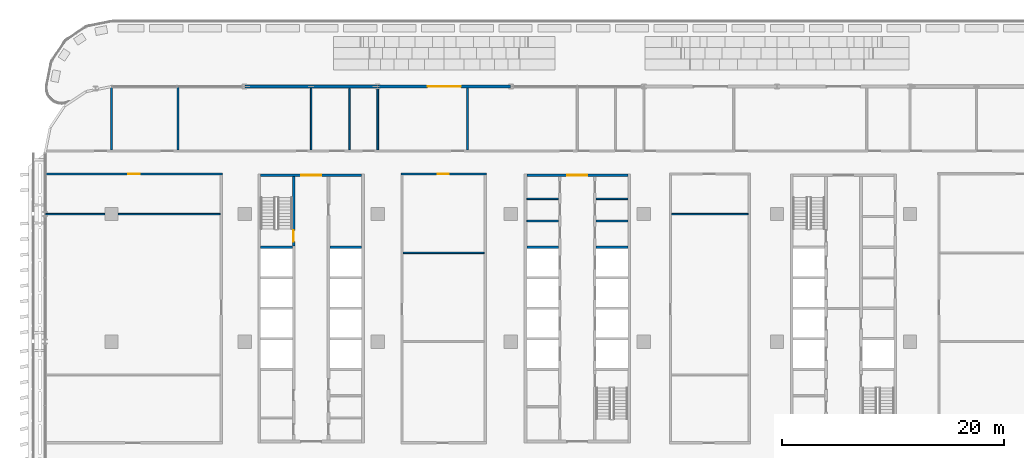
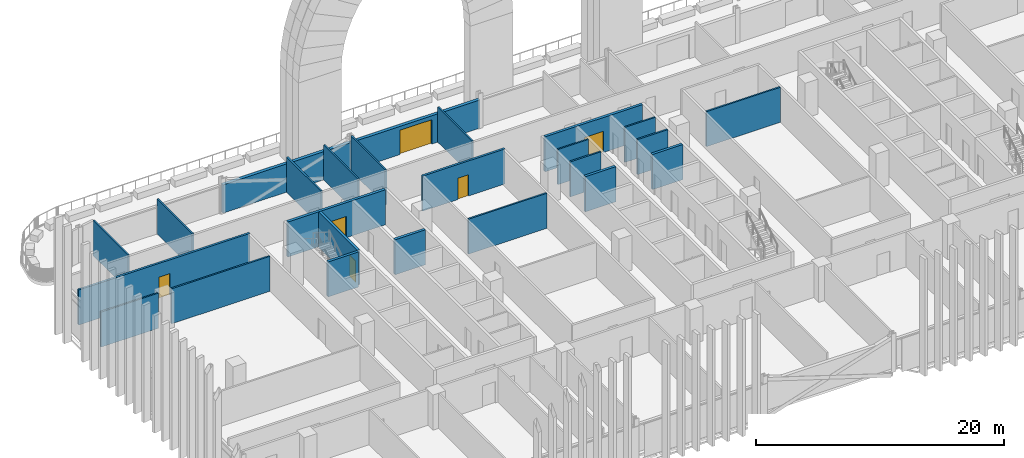
# One storey, part 12 of 30: 25 walls, 6 doors, 6 openings.
"""IFC4 building model written with IfcOpenShell, lengths in metres."""

from ifc_helpers import new_model, si_unit, direction, frame, frame_2d, origin, place, context, subcontext, project, spatial, rectangle, extrude, material, layer, layer_set, type_object, element, fill, save


model = new_model("IFC4")

# Units and contexts
model_context = context("Model", 3, precision=1e-05, world=origin(), true_north=direction((0.0, 1.0)))
body_context = subcontext(model_context, "Body", "Model", "MODEL_VIEW")
ifc_project = project(units=[si_unit("LENGTHUNIT", "METRE"), si_unit("AREAUNIT", "SQUARE_METRE"), si_unit("VOLUMEUNIT", "CUBIC_METRE"), si_unit("PLANEANGLEUNIT", "RADIAN"), si_unit("MASSUNIT", "GRAM", prefix="KILO")], contexts=[model_context])

# Site, building, storey
site_placement = place(None, origin())
site = spatial("IfcSite", under=ifc_project, at=site_placement, CompositionType="ELEMENT")
building_placement = place(site_placement, origin())
building = spatial("IfcBuilding", under=site, at=building_placement, Name="Mahtab Terrace Research Tower", CompositionType="ELEMENT")
storey_placement = place(building_placement, frame((0.0, 0.0, 159.199951171875)))
storey = spatial("IfcBuildingStorey", under=building, at=storey_placement, Name="L37", CompositionType="ELEMENT", Elevation=159.199951171875)

# Walls
ifc_material_1 = material(Name="Gypsum board partition")
ifc_layer_1 = layer(ifc_material_1, 0.14990234375)
ifc_layer_set_1 = layer_set([ifc_layer_1], Name="Core partition 150")
wall_type_1 = type_object("IfcWallType", Name="Core partition 150", PredefinedType="PARTITIONING", material=ifc_layer_set_1)
for number, where, z_axis, x_axis, name in (
    (1, (-4.550048828125, 10.875, 0.0), (0.0, 0.0, 1.0), (1.0, 0.0, 0.0), "Core wall B pWN788"),
    (2, (-4.550048828125, 12.875, 0.0), (0.0, 0.0, 1.0), (1.0, 0.0, 0.0), "Core wall B pWN988"),
    (3, (1.699951171875, 10.875, 0.0), (0.0, 0.0, 1.0), (1.0, 0.0, 0.0), "Core wall B pEN788"),
    (4, (1.699951171875, 12.875, 0.0), (0.0, 0.0, 1.0), (1.0, 0.0, 0.0), "Core wall B pEN988"),
):
    element("IfcWall", number, at=place(storey_placement, frame(where, z_axis=z_axis, x_axis=x_axis)), inside=storey, type_object=wall_type_1, Name=name, PredefinedType="PARTITIONING", context=body_context, shape_type="SweptSolid", body=[
        extrude(rectangle(XDim=2.85009765625, YDim=0.14990234375, at=frame_2d((1.425048828125, 0.0))), origin(), (0.0, 0.0, 1.0), 3.4599609375),
    ])

# Wall, opening, door
ifc_material_2 = material(Name="Concrete C70/85", Category="concrete")
ifc_layer_2 = layer(ifc_material_2, 0.25)
ifc_layer_set_2 = layer_set([ifc_layer_2], Name="Core wall 250")
wall_type_2 = type_object("IfcWallType", Name="Core wall 250", PredefinedType="SOLIDWALL", material=ifc_layer_set_2)
wall_1_placement = place(storey_placement, frame((-28.550048828125, 15.0, 0.0), z_axis=(0.0, 0.0, 1.0), x_axis=(1.0, 0.0, 0.0)))
wall_1 = element("IfcWall", 5, at=wall_1_placement, inside=storey, type_object=wall_type_2, Name="Core wall A endN", PredefinedType="SOLIDWALL", context=body_context, shape_type="SweptSolid", body=[
    extrude(rectangle(XDim=9.10009765625, YDim=0.25, at=frame_2d((4.550048828125, 0.0))), origin(), (0.0, 0.0, 1.0), 3.4599609375),
])
opening_1_placement = place(wall_1_placement, frame((3.64990234375, 0.0, 0.0)))
opening_1 = element("IfcOpeningElement", 6, at=opening_1_placement, cuts=wall_1, Name="Opening A-N1", PredefinedType="OPENING", context=body_context, shape_type="SweptSolid", body=[
    extrude(rectangle(XDim=1.800048828125, YDim=2.10009765625, at=frame_2d((0.89990234375, 1.050048828125))), frame((0.0, 0.135009765625, 0.0), z_axis=(0.0, -1.0, 0.0), x_axis=(1.0, 0.0, 0.0)), (0.0, 0.0, 1.0), 0.27001953125),
])
ifc_material_3 = material(Name="Steel fire door", Category="steel")
door_type_1 = type_object("IfcDoorType", Name="Lobby double door 1800x2100 1 HR", OperationType="DOUBLE_DOOR_SINGLE_SWING", PredefinedType="DOOR", material=ifc_material_3)
door_1_placement = place(opening_1_placement, origin())
door_1 = element("IfcDoor", 7, at=door_1_placement, inside=storey, type_object=door_type_1, Name="Core entrance door A N", OperationType="DOUBLE_DOOR_SINGLE_SWING", OverallHeight=2.10009765625, OverallWidth=1.800048828125, PredefinedType="DOOR", context=body_context, shape_type="SweptSolid", body=[
    extrude(rectangle(XDim=1.800048828125, YDim=2.10009765625, at=frame_2d((0.89990234375, 1.050048828125))), frame((0.0, 0.02490234375, 0.0), z_axis=(0.0, -1.0, 0.0), x_axis=(1.0, 0.0, 0.0)), (0.0, 0.0, 1.0), 0.050048828125),
])
fill(opening_1, door_1)

wall_2_placement = place(storey_placement, frame((-25.574951171875, 14.875, 0.0), z_axis=(0.0, 0.0, 1.0), x_axis=(0.0, -1.0, 0.0)))
wall_2 = element("IfcWall", 8, at=wall_2_placement, inside=storey, type_object=wall_type_2, Name="Core wall A innerWN", PredefinedType="SOLIDWALL", context=body_context, shape_type="SweptSolid", body=[
    extrude(rectangle(XDim=6.25, YDim=0.25, at=frame_2d((3.125, 0.0))), origin(), (0.0, 0.0, 1.0), 3.4599609375),
])
opening_2_placement = place(wall_2_placement, frame((4.85009765625, 0.0, 0.0)))
opening_2 = element("IfcOpeningElement", 9, at=opening_2_placement, cuts=wall_2, Name="Opening A-ST1", PredefinedType="OPENING", context=body_context, shape_type="SweptSolid", body=[
    extrude(rectangle(XDim=1.0, YDim=2.10009765625, at=frame_2d((0.5, 1.050048828125))), frame((0.0, 0.135009765625, 0.0), z_axis=(0.0, -1.0, 0.0), x_axis=(1.0, 0.0, 0.0)), (0.0, 0.0, 1.0), 0.27001953125),
])
door_type_2 = type_object("IfcDoorType", Name="Stair door 1000x2100 1.5 HR", OperationType="NOTDEFINED", PredefinedType="DOOR", material=ifc_material_3)
door_2_placement = place(opening_2_placement, origin())
door_2 = element("IfcDoor", 10, at=door_2_placement, inside=storey, type_object=door_type_2, Name="Stair door ST1 L37", OperationType="SINGLE_SWING_LEFT", OverallHeight=2.10009765625, OverallWidth=1.0, PredefinedType="DOOR", context=body_context, shape_type="SweptSolid", body=[
    extrude(rectangle(XDim=1.0, YDim=2.10009765625, at=frame_2d((0.5, 1.050048828125))), frame((0.0, 0.02490234375, 0.0), z_axis=(0.0, -1.0, 0.0), x_axis=(1.0, 0.0, 0.0)), (0.0, 0.0, 1.0), 0.050048828125),
])
fill(opening_2, door_2)

# Walls
for number, where, z_axis, x_axis, name in (
    (11, (-28.550048828125, 8.5, 0.0), (0.0, 0.0, 1.0), (1.0, 0.0, 0.0), "Core wall A divW4"),
    (12, (-22.300048828125, 8.5, 0.0), (0.0, 0.0, 1.0), (1.0, 0.0, 0.0), "Core wall A divE4"),
):
    element("IfcWall", number, at=place(storey_placement, frame(where, z_axis=z_axis, x_axis=x_axis)), inside=storey, type_object=wall_type_2, Name=name, PredefinedType="SOLIDWALL", context=body_context, shape_type="SweptSolid", body=[
        extrude(rectangle(XDim=2.85009765625, YDim=0.25, at=frame_2d((1.425048828125, 0.0))), origin(), (0.0, 0.0, 1.0), 3.4599609375),
    ])

# Wall, opening, door
wall_3_placement = place(storey_placement, frame((-4.550048828125, 15.0, 0.0), z_axis=(0.0, 0.0, 1.0), x_axis=(1.0, 0.0, 0.0)))
wall_3 = element("IfcWall", 13, at=wall_3_placement, inside=storey, type_object=wall_type_2, Name="Core wall B endN", PredefinedType="SOLIDWALL", context=body_context, shape_type="SweptSolid", body=[
    extrude(rectangle(XDim=9.10009765625, YDim=0.25, at=frame_2d((4.550048828125, 0.0))), origin(), (0.0, 0.0, 1.0), 3.4599609375),
])
opening_3_placement = place(wall_3_placement, frame((3.64990234375, 0.0, 0.0)))
opening_3 = element("IfcOpeningElement", 14, at=opening_3_placement, cuts=wall_3, Name="Opening B-N1", PredefinedType="OPENING", context=body_context, shape_type="SweptSolid", body=[
    extrude(rectangle(XDim=1.800048828125, YDim=2.10009765625, at=frame_2d((0.89990234375, 1.050048828125))), frame((0.0, 0.135009765625, 0.0), z_axis=(0.0, -1.0, 0.0), x_axis=(1.0, 0.0, 0.0)), (0.0, 0.0, 1.0), 0.27001953125),
])
door_3_placement = place(opening_3_placement, origin())
door_3 = element("IfcDoor", 15, at=door_3_placement, inside=storey, type_object=door_type_1, Name="Core entrance door B N", OperationType="DOUBLE_DOOR_SINGLE_SWING", OverallHeight=2.10009765625, OverallWidth=1.800048828125, PredefinedType="DOOR", context=body_context, shape_type="SweptSolid", body=[
    extrude(rectangle(XDim=1.800048828125, YDim=2.10009765625, at=frame_2d((0.89990234375, 1.050048828125))), frame((0.0, 0.02490234375, 0.0), z_axis=(0.0, -1.0, 0.0), x_axis=(1.0, 0.0, 0.0)), (0.0, 0.0, 1.0), 0.050048828125),
])
fill(opening_3, door_3)

# Walls
for number, where, z_axis, x_axis, name in (
    (16, (-4.550048828125, 8.5, 0.0), (0.0, 0.0, 1.0), (1.0, 0.0, 0.0), "Core wall B divW4"),
    (17, (1.699951171875, 8.5, 0.0), (0.0, 0.0, 1.0), (1.0, 0.0, 0.0), "Core wall B divE4"),
):
    element("IfcWall", number, at=place(storey_placement, frame(where, z_axis=z_axis, x_axis=x_axis)), inside=storey, type_object=wall_type_2, Name=name, PredefinedType="SOLIDWALL", context=body_context, shape_type="SweptSolid", body=[
        extrude(rectangle(XDim=2.85009765625, YDim=0.25, at=frame_2d((1.425048828125, 0.0))), origin(), (0.0, 0.0, 1.0), 3.4599609375),
    ])

# Wall, opening, door
ifc_material_4 = material(Name="Black aluminium cladding panel", Category="aluminium")
ifc_layer_3 = layer(ifc_material_4, 0.300048828125)
ifc_layer_set_3 = layer_set([ifc_layer_3], Name="Opaque facade wall 300")
wall_type_3 = type_object("IfcWallType", Name="Opaque facade wall 300", PredefinedType="NOTDEFINED", material=ifc_layer_set_3)
wall_4_placement = place(storey_placement, frame((-6.014892578125, 23.0, 0.0), z_axis=(0.0, 0.0, 1.0), x_axis=(-1.0, 0.0, 0.0)))
wall_4 = element("IfcWall", 18, at=wall_4_placement, inside=storey, type_object=wall_type_3, Name="Opaque facade wall L37 N7", PredefinedType="NOTDEFINED", context=body_context, shape_type="SweptSolid", body=[
    extrude(rectangle(XDim=11.97021484375, YDim=0.300048828125, at=frame_2d((5.985107421875, 0.0))), origin(), (0.0, 0.0, 1.0), 2.78173828125),
])
opening_4_placement = place(wall_4_placement, frame((4.485107421875, 0.0, 0.0)))
opening_4 = element("IfcOpeningElement", 19, at=opening_4_placement, cuts=wall_4, Name="Opening ED1", PredefinedType="OPENING", context=body_context, shape_type="SweptSolid", body=[
    extrude(rectangle(XDim=3.0, YDim=2.39990234375, at=frame_2d((1.5, 1.199951171875))), frame((0.0, 0.159912109375, 0.0), z_axis=(0.0, -1.0, 0.0), x_axis=(1.0, 0.0, 0.0)), (0.0, 0.0, 1.0), 0.320068359375),
])
ifc_material_5 = material(Name="Black anodised aluminium", Category="aluminium")
door_type_3 = type_object("IfcDoorType", Name="Terrace double door 3000x2400", OperationType="DOUBLE_DOOR_DOUBLE_SWING", PredefinedType="DOOR", material=ifc_material_5)
door_4_placement = place(opening_4_placement, origin())
door_4 = element("IfcDoor", 20, at=door_4_placement, inside=storey, type_object=door_type_3, Name="Terrace door L37 N", OperationType="SINGLE_SWING_LEFT", OverallHeight=2.39990234375, OverallWidth=3.0, PredefinedType="DOOR", context=body_context, shape_type="SweptSolid", body=[
    extrude(rectangle(XDim=3.0, YDim=2.39990234375, at=frame_2d((1.5, 1.199951171875))), frame((0.0, 0.02490234375, 0.0), z_axis=(0.0, -1.0, 0.0), x_axis=(1.0, 0.0, 0.0)), (0.0, 0.0, 1.0), 0.050048828125),
])
fill(opening_4, door_4)

# Wall
wall_5_placement = place(storey_placement, frame((-18.014892578125, 23.0, 0.0), z_axis=(0.0, 0.0, 1.0), x_axis=(-1.0, 0.0, 0.0)))
element("IfcWall", 21, at=wall_5_placement, inside=storey, type_object=wall_type_3, Name="Opaque facade wall L37 N8", PredefinedType="NOTDEFINED", context=body_context, shape_type="SweptSolid", body=[
    extrude(rectangle(XDim=11.97021484375, YDim=0.300048828125, at=frame_2d((5.985107421875, 0.0))), origin(), (0.0, 0.0, 1.0), 2.78173828125),
])

# Wall, opening, door
ifc_material_6 = material(Name="Gypsum board corridor wall on steel studs", Category="steel")
ifc_layer_4 = layer(ifc_material_6, 0.199951171875)
ifc_layer_set_4 = layer_set([ifc_layer_4], Name="WALL CORRIDOR 200")
wall_type_4 = type_object("IfcWallType", Name="WALL CORRIDOR 200", PredefinedType="PARTITIONING", material=ifc_layer_set_4)
wall_6_placement = place(storey_placement, frame((-47.97509765625, 15.125, 0.0), z_axis=(0.0, 0.0, 1.0), x_axis=(1.0, 0.0, 0.0)))
wall_6 = element("IfcWall", 22, at=wall_6_placement, inside=storey, type_object=wall_type_4, Name="L37-W024", PredefinedType="PARTITIONING", context=body_context, shape_type="SweptSolid", body=[
    extrude(rectangle(XDim=15.97509765625, YDim=0.199951171875, at=frame_2d((7.987548828125, 0.0))), origin(), (0.0, 0.0, 1.0), 3.4599609375),
])
opening_5_placement = place(wall_6_placement, frame((7.5, 0.0, 0.0)))
opening_5 = element("IfcOpeningElement", 23, at=opening_5_placement, cuts=wall_6, Name="Opening L37-125", PredefinedType="OPENING", context=body_context, shape_type="SweptSolid", body=[
    extrude(rectangle(XDim=1.0, YDim=2.10009765625, at=frame_2d((0.5, 1.050048828125))), frame((0.0, 0.10986328125, 0.0), z_axis=(0.0, -1.0, 0.0), x_axis=(1.0, 0.0, 0.0)), (0.0, 0.0, 1.0), 0.219970703125),
])
ifc_material_7 = material(Name="Timber door leaf in steel frame", Category="steel")
door_type_4 = type_object("IfcDoorType", Name="DOOR 1000X2100 FD30S", OperationType="SINGLE_SWING_LEFT", PredefinedType="DOOR", material=ifc_material_7)
door_5_placement = place(opening_5_placement, origin())
door_5 = element("IfcDoor", 24, at=door_5_placement, inside=storey, type_object=door_type_4, Name="Door L37-125", OperationType="SINGLE_SWING_LEFT", OverallHeight=2.10009765625, OverallWidth=1.0, PredefinedType="DOOR", context=body_context, shape_type="SweptSolid", body=[
    extrude(rectangle(XDim=1.0, YDim=2.10009765625, at=frame_2d((0.5, 1.050048828125))), frame((0.0, 0.02490234375, 0.0), z_axis=(0.0, -1.0, 0.0), x_axis=(1.0, 0.0, 0.0)), (0.0, 0.0, 1.0), 0.050048828125),
])
fill(opening_5, door_5)

wall_7_placement = place(storey_placement, frame((-15.89990234375, 15.125, 0.0), z_axis=(0.0, 0.0, 1.0), x_axis=(1.0, 0.0, 0.0)))
wall_7 = element("IfcWall", 25, at=wall_7_placement, inside=storey, type_object=wall_type_4, Name="L37-W025", PredefinedType="PARTITIONING", context=body_context, shape_type="SweptSolid", body=[
    extrude(rectangle(XDim=7.699951171875, YDim=0.199951171875, at=frame_2d((3.85009765625, 0.0))), origin(), (0.0, 0.0, 1.0), 3.4599609375),
])
opening_6_placement = place(wall_7_placement, frame((3.300048828125, 0.0, 0.0)))
opening_6 = element("IfcOpeningElement", 26, at=opening_6_placement, cuts=wall_7, Name="Opening L37-123", PredefinedType="OPENING", context=body_context, shape_type="SweptSolid", body=[
    extrude(rectangle(XDim=1.0, YDim=2.10009765625, at=frame_2d((0.5, 1.050048828125))), frame((0.0, 0.10986328125, 0.0), z_axis=(0.0, -1.0, 0.0), x_axis=(1.0, 0.0, 0.0)), (0.0, 0.0, 1.0), 0.219970703125),
])
door_6_placement = place(opening_6_placement, origin())
door_6 = element("IfcDoor", 27, at=door_6_placement, inside=storey, type_object=door_type_4, Name="Door L37-123", OperationType="SINGLE_SWING_RIGHT", OverallHeight=2.10009765625, OverallWidth=1.0, PredefinedType="DOOR", context=body_context, shape_type="SweptSolid", body=[
    extrude(rectangle(XDim=1.0, YDim=2.10009765625, at=frame_2d((0.5, 1.050048828125))), frame((0.0, 0.02490234375, 0.0), z_axis=(0.0, -1.0, 0.0), x_axis=(1.0, 0.0, 0.0)), (0.0, 0.0, 1.0), 0.050048828125),
])
fill(opening_6, door_6)

# Walls
ifc_material_8 = material(Name="Gypsum board partition on steel studs", Category="steel")
ifc_layer_5 = layer(ifc_material_8, 0.14990234375)
ifc_layer_set_5 = layer_set([ifc_layer_5], Name="WALL PARTITION 150")
wall_type_5 = type_object("IfcWallType", Name="WALL PARTITION 150", PredefinedType="PARTITIONING", material=ifc_layer_set_5)
wall_8_placement = place(storey_placement, frame((-15.699951171875, 8.0, 0.0), z_axis=(0.0, 0.0, 1.0), x_axis=(1.0, 0.0, 0.0)))
element("IfcWall", 28, at=wall_8_placement, inside=storey, type_object=wall_type_5, Name="L37-W019", PredefinedType="PARTITIONING", context=body_context, shape_type="SweptSolid", body=[
    extrude(rectangle(XDim=7.300048828125, YDim=0.14990234375, at=frame_2d((3.64990234375, 0.0))), origin(), (0.0, 0.0, 1.0), 3.4599609375),
])
wall_9_placement = place(storey_placement, frame((-47.97509765625, 11.5, 0.0), z_axis=(0.0, 0.0, 1.0), x_axis=(1.0, 0.0, 0.0)))
element("IfcWall", 29, at=wall_9_placement, inside=storey, type_object=wall_type_5, Name="L37-W021", PredefinedType="PARTITIONING", context=body_context, shape_type="SweptSolid", body=[
    extrude(rectangle(XDim=5.375, YDim=0.14990234375, at=frame_2d((2.6875, 0.0))), origin(), (0.0, 0.0, 1.0), 3.4599609375),
])
wall_10_placement = place(storey_placement, frame((-41.39990234375, 11.5, 0.0), z_axis=(0.0, 0.0, 1.0), x_axis=(1.0, 0.0, 0.0)))
element("IfcWall", 30, at=wall_10_placement, inside=storey, type_object=wall_type_5, Name="L37-W022", PredefinedType="PARTITIONING", context=body_context, shape_type="SweptSolid", body=[
    extrude(rectangle(XDim=9.199951171875, YDim=0.14990234375, at=frame_2d((4.60009765625, 0.0))), origin(), (0.0, 0.0, 1.0), 3.4599609375),
])
wall_11_placement = place(storey_placement, frame((8.5, 11.5, 0.0), z_axis=(0.0, 0.0, 1.0), x_axis=(1.0, 0.0, 0.0)))
element("IfcWall", 31, at=wall_11_placement, inside=storey, type_object=wall_type_5, Name="L37-W023", PredefinedType="PARTITIONING", context=body_context, shape_type="SweptSolid", body=[
    extrude(rectangle(XDim=6.89990234375, YDim=0.14990234375, at=frame_2d((3.449951171875, 0.0))), origin(), (0.0, 0.0, 1.0), 3.4599609375),
])
for number, where, z_axis, x_axis, name in (
    (32, (-42.0, 17.300048828125, 0.0), (0.0, 0.0, 1.0), (0.0, 1.0, 0.0), "L37-W029"),
    (33, (-36.0, 17.300048828125, 0.0), (0.0, 0.0, 1.0), (0.0, 1.0, 0.0), "L37-W031"),
):
    element("IfcWall", number, at=place(storey_placement, frame(where, z_axis=z_axis, x_axis=x_axis)), inside=storey, type_object=wall_type_5, Name=name, PredefinedType="PARTITIONING", context=body_context, shape_type="SweptSolid", body=[
        extrude(rectangle(XDim=5.675048828125, YDim=0.14990234375, at=frame_2d((2.83740234375, 0.0))), origin(), (0.0, 0.0, 1.0), 3.4599609375),
    ])
for number, where, z_axis, x_axis, name in (
    (34, (-24.0, 17.300048828125, 0.0), (0.0, 0.0, 1.0), (0.0, 1.0, 0.0), "L37-W035"),
    (35, (-20.550048828125, 17.300048828125, 0.0), (0.0, 0.0, 1.0), (0.0, 1.0, 0.0), "L37-W037"),
    (36, (-18.0, 17.300048828125, 0.0), (0.0, 0.0, 1.0), (0.0, 1.0, 0.0), "L37-W039"),
    (37, (-9.89990234375, 17.300048828125, 0.0), (0.0, 0.0, 1.0), (0.0, 1.0, 0.0), "L37-W042"),
):
    element("IfcWall", number, at=place(storey_placement, frame(where, z_axis=z_axis, x_axis=x_axis)), inside=storey, type_object=wall_type_5, Name=name, PredefinedType="PARTITIONING", context=body_context, shape_type="SweptSolid", body=[
        extrude(rectangle(XDim=5.550048828125, YDim=0.14990234375, at=frame_2d((2.77490234375, 0.0))), origin(), (0.0, 0.0, 1.0), 3.4599609375),
    ])

save(model, "model.ifc")
